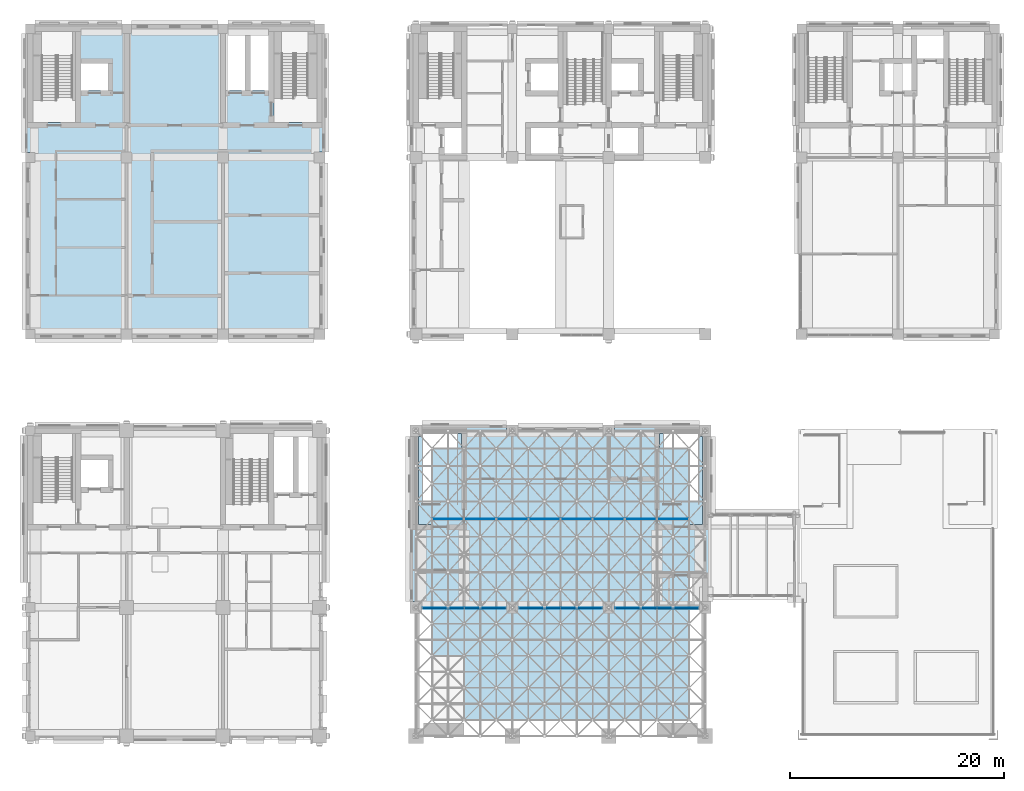
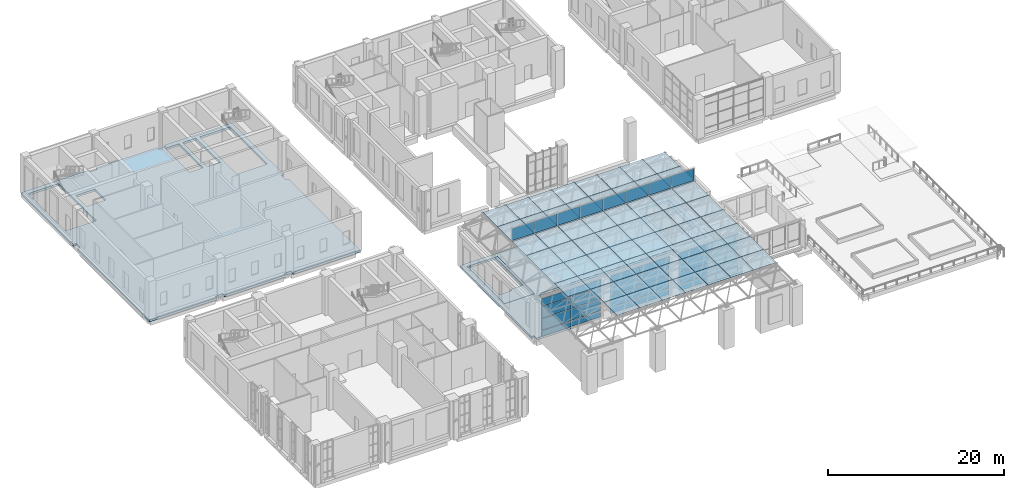
# One storey, part 21 of 53: 94 plates, 4 slabs, 4 elements without a shape of their own.
"""IFC4 building model written with IfcOpenShell, lengths in metres."""

from ifc_helpers import new_model, si_unit, direction, frame, origin, origin_2d, place, context, subcontext, project, spatial, polyline, rectangle, outline, extrude, material, layer, layer_set, type_object, element, aggregate, save


model = new_model("IFC4")

# Units and contexts
model_context = context("Model", 3, precision=1e-05, world=origin(), true_north=direction((0.0, 1.0)))
body_context = subcontext(model_context, "Body", "Model", "MODEL_VIEW")
ifc_project = project(units=[si_unit("LENGTHUNIT", "METRE"), si_unit("AREAUNIT", "SQUARE_METRE"), si_unit("VOLUMEUNIT", "CUBIC_METRE"), si_unit("PLANEANGLEUNIT", "RADIAN"), si_unit("MASSUNIT", "GRAM", prefix="KILO")], contexts=[model_context])

# Site, building, storey
site_placement = place(None, origin())
site = spatial("IfcSite", under=ifc_project, at=site_placement, CompositionType="ELEMENT")
building_placement = place(site_placement, origin())
building = spatial("IfcBuilding", under=site, at=building_placement, Name="Aurelan Courthouse", CompositionType="ELEMENT")
storey_placement = place(building_placement, frame((0.0, 0.0, 12.0)))
storey = spatial("IfcBuildingStorey", under=building, at=storey_placement, Name="L02", CompositionType="ELEMENT", Elevation=12.0)

# Curtain wall, plates
ifc_material_1 = material(Name="Bronze-finished aluminium and glass", Category="aluminium")
ifc_layer_1 = layer(ifc_material_1, 0.14990234375)
ifc_layer_set_1 = layer_set([ifc_layer_1], Name="Bronze-finished aluminium and glass")
curtain_wall_type_1 = type_object("IfcCurtainWallType", Name="Curtain wall 7900 x 5400", PredefinedType="NOTDEFINED", material=ifc_layer_set_1)
curtain_wall_1_placement = place(storey_placement, origin())
curtain_wall_1 = element("IfcCurtainWall", 1, at=curtain_wall_1_placement, inside=storey, type_object=curtain_wall_type_1, Name="Curtain wall CW-V1-L02-S01", PredefinedType="NOTDEFINED")
ifc_material_2 = material(Name="Limestone cladding", Category="masonry")
ifc_layer_2 = layer(ifc_material_2, 0.080078125, Name="Facing")
ifc_material_3 = material(Name="Bronze sheet cladding", Category="bronze")
ifc_layer_3 = layer(ifc_material_3, 0.02001953125, Name="Back sheet")
ifc_layer_set_2 = layer_set([ifc_layer_2, ifc_layer_3], Name="Limestone cladding")
plate_type_1 = type_object("IfcPlateType", Name="Limestone spandrel panel with bronze back sheet 100", PredefinedType="CURTAIN_PANEL", material=ifc_layer_set_2)
plate_1_placement = place(storey_placement, frame((38.544921875, 11.925048828125, 4.239990234375), z_axis=(0.0, 0.0, 1.0), x_axis=(1.0, 0.0, 0.0)))
plate_1 = element("IfcPlate", 2, at=plate_1_placement, type_object=plate_type_1, Name="CW-V1-L02-S01 spandrel panel 1.4", PredefinedType="CURTAIN_PANEL", context=body_context, shape_type="SweptSolid", body=[
    extrude(rectangle(XDim=3.830078125, YDim=0.10009765625, at=origin_2d()), origin(), (0.0, 0.0, 1.0), 1.080078125),
])
plate_2_placement = place(storey_placement, frame((42.455078125, 11.925048828125, 4.239990234375), z_axis=(0.0, 0.0, 1.0), x_axis=(1.0, 0.0, 0.0)))
plate_2 = element("IfcPlate", 3, at=plate_2_placement, type_object=plate_type_1, Name="CW-V1-L02-S01 spandrel panel 2.4", PredefinedType="CURTAIN_PANEL", context=body_context, shape_type="SweptSolid", body=[
    extrude(rectangle(XDim=3.830078125, YDim=0.10009765625, at=origin_2d()), origin(), (0.0, 0.0, 1.0), 1.080078125),
])

curtain_wall_2_placement = place(storey_placement, origin())
curtain_wall_2 = element("IfcCurtainWall", 4, at=curtain_wall_2_placement, inside=storey, type_object=curtain_wall_type_1, Name="Curtain wall CW-V1-L02-S02", PredefinedType="NOTDEFINED")
plate_3_placement = place(storey_placement, frame((47.544921875, 11.925048828125, 4.239990234375), z_axis=(0.0, 0.0, 1.0), x_axis=(1.0, 0.0, 0.0)))
plate_3 = element("IfcPlate", 5, at=plate_3_placement, type_object=plate_type_1, Name="CW-V1-L02-S02 spandrel panel 1.4", PredefinedType="CURTAIN_PANEL", context=body_context, shape_type="SweptSolid", body=[
    extrude(rectangle(XDim=3.830078125, YDim=0.10009765625, at=origin_2d()), origin(), (0.0, 0.0, 1.0), 1.080078125),
])
plate_4_placement = place(storey_placement, frame((51.455078125, 11.925048828125, 4.239990234375), z_axis=(0.0, 0.0, 1.0), x_axis=(1.0, 0.0, 0.0)))
plate_4 = element("IfcPlate", 6, at=plate_4_placement, type_object=plate_type_1, Name="CW-V1-L02-S02 spandrel panel 2.4", PredefinedType="CURTAIN_PANEL", context=body_context, shape_type="SweptSolid", body=[
    extrude(rectangle(XDim=3.830078125, YDim=0.10009765625, at=origin_2d()), origin(), (0.0, 0.0, 1.0), 1.080078125),
])

curtain_wall_3_placement = place(storey_placement, origin())
curtain_wall_3 = element("IfcCurtainWall", 7, at=curtain_wall_3_placement, inside=storey, type_object=curtain_wall_type_1, Name="Curtain wall CW-V1-L02-S03", PredefinedType="NOTDEFINED")
plate_5_placement = place(storey_placement, frame((56.544921875, 11.925048828125, 4.239990234375), z_axis=(0.0, 0.0, 1.0), x_axis=(1.0, 0.0, 0.0)))
plate_5 = element("IfcPlate", 8, at=plate_5_placement, type_object=plate_type_1, Name="CW-V1-L02-S03 spandrel panel 1.4", PredefinedType="CURTAIN_PANEL", context=body_context, shape_type="SweptSolid", body=[
    extrude(rectangle(XDim=3.830078125, YDim=0.10009765625, at=origin_2d()), origin(), (0.0, 0.0, 1.0), 1.080078125),
])
plate_6_placement = place(storey_placement, frame((60.455078125, 11.925048828125, 4.239990234375), z_axis=(0.0, 0.0, 1.0), x_axis=(1.0, 0.0, 0.0)))
plate_6 = element("IfcPlate", 9, at=plate_6_placement, type_object=plate_type_1, Name="CW-V1-L02-S03 spandrel panel 2.4", PredefinedType="CURTAIN_PANEL", context=body_context, shape_type="SweptSolid", body=[
    extrude(rectangle(XDim=3.830078125, YDim=0.10009765625, at=origin_2d()), origin(), (0.0, 0.0, 1.0), 1.080078125),
])

ifc_layer_4 = layer(ifc_material_1, 0.10009765625)
ifc_layer_set_3 = layer_set([ifc_layer_4], Name="Bronze-finished aluminium and glass")
curtain_wall_type_2 = type_object("IfcCurtainWallType", Name="North light 24000 x 1800", PredefinedType="NOTDEFINED", material=ifc_layer_set_3)
curtain_wall_4_placement = place(storey_placement, origin())
curtain_wall_4 = element("IfcCurtainWall", 10, at=curtain_wall_4_placement, inside=storey, type_object=curtain_wall_type_2, Name="Curtain wall CW-V1-L02-NL01", PredefinedType="NOTDEFINED")
ifc_material_4 = material(Name="Laminated low-emissivity glass", Category="glass")
ifc_layer_5 = layer(ifc_material_4, 0.028076171875)
ifc_layer_set_4 = layer_set([ifc_layer_5], Name="Laminated low-emissivity glass")
plate_type_2 = type_object("IfcPlateType", Name="North light glass panel 28", PredefinedType="CURTAIN_PANEL", material=ifc_layer_set_4)
plate_7_placement = place(storey_placement, frame((39.017578125, 20.25, 7.98974609375), z_axis=(0.0, 0.0, 1.0), x_axis=(1.0, 0.0, 0.0)))
plate_7 = element("IfcPlate", 11, at=plate_7_placement, type_object=plate_type_2, Name="CW-V1-L02-NL01 panel 1.1", PredefinedType="CURTAIN_PANEL", context=body_context, shape_type="SweptSolid", body=[
    extrude(rectangle(XDim=2.89501953125, YDim=0.028076171875, at=origin_2d()), origin(), (0.0, 0.0, 1.0), 1.659912109375),
])
plate_8_placement = place(storey_placement, frame((42.0, 20.25, 7.98974609375), z_axis=(0.0, 0.0, 1.0), x_axis=(1.0, 0.0, 0.0)))
plate_8 = element("IfcPlate", 12, at=plate_8_placement, type_object=plate_type_2, Name="CW-V1-L02-NL01 panel 2.1", PredefinedType="CURTAIN_PANEL", context=body_context, shape_type="SweptSolid", body=[
    extrude(rectangle(XDim=2.929931640625, YDim=0.028076171875, at=origin_2d()), origin(), (0.0, 0.0, 1.0), 1.659912109375),
])
plate_9_placement = place(storey_placement, frame((45.0, 20.25, 7.98974609375), z_axis=(0.0, 0.0, 1.0), x_axis=(1.0, 0.0, 0.0)))
plate_9 = element("IfcPlate", 13, at=plate_9_placement, type_object=plate_type_2, Name="CW-V1-L02-NL01 panel 3.1", PredefinedType="CURTAIN_PANEL", context=body_context, shape_type="SweptSolid", body=[
    extrude(rectangle(XDim=2.929931640625, YDim=0.028076171875, at=origin_2d()), origin(), (0.0, 0.0, 1.0), 1.659912109375),
])
plate_10_placement = place(storey_placement, frame((48.0, 20.25, 7.98974609375), z_axis=(0.0, 0.0, 1.0), x_axis=(1.0, 0.0, 0.0)))
plate_10 = element("IfcPlate", 14, at=plate_10_placement, type_object=plate_type_2, Name="CW-V1-L02-NL01 panel 4.1", PredefinedType="CURTAIN_PANEL", context=body_context, shape_type="SweptSolid", body=[
    extrude(rectangle(XDim=2.929931640625, YDim=0.028076171875, at=origin_2d()), origin(), (0.0, 0.0, 1.0), 1.659912109375),
])
plate_11_placement = place(storey_placement, frame((51.0, 20.25, 7.98974609375), z_axis=(0.0, 0.0, 1.0), x_axis=(1.0, 0.0, 0.0)))
plate_11 = element("IfcPlate", 15, at=plate_11_placement, type_object=plate_type_2, Name="CW-V1-L02-NL01 panel 5.1", PredefinedType="CURTAIN_PANEL", context=body_context, shape_type="SweptSolid", body=[
    extrude(rectangle(XDim=2.929931640625, YDim=0.028076171875, at=origin_2d()), origin(), (0.0, 0.0, 1.0), 1.659912109375),
])
plate_12_placement = place(storey_placement, frame((54.0, 20.25, 7.98974609375), z_axis=(0.0, 0.0, 1.0), x_axis=(1.0, 0.0, 0.0)))
plate_12 = element("IfcPlate", 16, at=plate_12_placement, type_object=plate_type_2, Name="CW-V1-L02-NL01 panel 6.1", PredefinedType="CURTAIN_PANEL", context=body_context, shape_type="SweptSolid", body=[
    extrude(rectangle(XDim=2.929931640625, YDim=0.028076171875, at=origin_2d()), origin(), (0.0, 0.0, 1.0), 1.659912109375),
])
plate_13_placement = place(storey_placement, frame((57.0, 20.25, 7.98974609375), z_axis=(0.0, 0.0, 1.0), x_axis=(1.0, 0.0, 0.0)))
plate_13 = element("IfcPlate", 17, at=plate_13_placement, type_object=plate_type_2, Name="CW-V1-L02-NL01 panel 7.1", PredefinedType="CURTAIN_PANEL", context=body_context, shape_type="SweptSolid", body=[
    extrude(rectangle(XDim=2.929931640625, YDim=0.028076171875, at=origin_2d()), origin(), (0.0, 0.0, 1.0), 1.659912109375),
])
plate_14_placement = place(storey_placement, frame((59.982421875, 20.25, 7.98974609375), z_axis=(0.0, 0.0, 1.0), x_axis=(1.0, 0.0, 0.0)))
plate_14 = element("IfcPlate", 18, at=plate_14_placement, type_object=plate_type_2, Name="CW-V1-L02-NL01 panel 8.1", PredefinedType="CURTAIN_PANEL", context=body_context, shape_type="SweptSolid", body=[
    extrude(rectangle(XDim=2.89501953125, YDim=0.028076171875, at=origin_2d()), origin(), (0.0, 0.0, 1.0), 1.659912109375),
])
aggregate(curtain_wall_4, [plate_7, plate_8, plate_9, plate_10, plate_11, plate_12, plate_13, plate_14])

# Slabs
ifc_material_5 = material(Name="Concrete C40", Category="concrete")
ifc_layer_6 = layer(ifc_material_5, 0.300048828125)
ifc_layer_set_5 = layer_set([ifc_layer_6], Name="Concrete C40")
slab_type_1 = type_object("IfcSlabType", Name="PT floor slab 300", PredefinedType="FLOOR", material=ifc_layer_set_5)
slab_1_placement = place(storey_placement, frame((0.0, 0.0, -0.300048828125)))
element("IfcSlab", 19, at=slab_1_placement, inside=storey, type_object=slab_type_1, Name="Floor slab SL-L02-01", PredefinedType="FLOOR", context=body_context, shape_type="SweptSolid", body=[
    extrude(outline(polyline([(58.5, 19.25), (58.5, 15.25), (58.25, 15.25), (58.25, 12.0), (58.25, 11.75), (63.0, 11.75), (63.0, 12.550048828125), (63.35009765625, 12.550048828125), (63.35009765625, 27.949951171875), (63.35009765625, 28.85009765625), (62.449951171875, 28.85009765625), (54.550048828125, 28.85009765625), (54.550048828125, 28.5), (53.449951171875, 28.5), (53.449951171875, 28.85009765625), (45.550048828125, 28.85009765625), (45.550048828125, 28.5), (44.449951171875, 28.5), (44.449951171875, 28.85009765625), (36.550048828125, 28.85009765625), (35.64990234375, 28.85009765625), (35.64990234375, 27.949951171875), (35.64990234375, 12.550048828125), (36.0, 12.550048828125), (36.0, 12.0), (40.5, 12.0), (40.5, 19.25), (40.75, 19.25), (40.75, 19.5), (58.25, 19.5), (58.25, 19.25), (58.5, 19.25)]), holes=[polyline([(58.75, 19.75), (58.75, 28.25), (62.75, 28.25), (62.75, 19.75), (58.75, 19.75)]), polyline([(62.75, 14.75), (62.75, 12.25), (58.75, 12.25), (58.75, 14.75), (62.75, 14.75)]), polyline([(36.25, 28.25), (40.25, 28.25), (40.25, 19.75), (36.25, 19.75), (36.25, 28.25)])]), origin(), (0.0, 0.0, 1.0), 0.300048828125),
])
slab_2_placement = place(storey_placement, frame((0.0, 0.0, -0.300048828125)))
element("IfcSlab", 20, at=slab_2_placement, inside=storey, type_object=slab_type_1, Name="Floor slab SL-L02-05", PredefinedType="FLOOR", context=body_context, shape_type="SweptSolid", body=[
    extrude(outline(polyline([(0.0, 54.449951171875), (0.0, 53.550048828125), (-0.35009765625, 53.550048828125), (-0.35009765625, 37.949951171875), (-0.35009765625, 37.14990234375), (0.449951171875, 37.14990234375), (8.5, 37.14990234375), (8.5, 37.5), (9.5, 37.5), (9.5, 37.14990234375), (17.5, 37.14990234375), (17.5, 37.5), (18.5, 37.5), (18.5, 37.14990234375), (26.5, 37.14990234375), (27.35009765625, 37.14990234375), (27.35009765625, 38.0), (27.35009765625, 53.5), (27.0, 53.5), (27.0, 54.5), (27.35009765625, 54.5), (27.35009765625, 65.550048828125), (27.35009765625, 66.35009765625), (26.550048828125, 66.35009765625), (18.449951171875, 66.35009765625), (18.449951171875, 66.0), (17.550048828125, 66.0), (17.550048828125, 66.35009765625), (9.449951171875, 66.35009765625), (9.449951171875, 66.0), (8.550048828125, 66.0), (8.550048828125, 66.35009765625), (0.449951171875, 66.35009765625), (-0.35009765625, 66.35009765625), (-0.35009765625, 65.550048828125), (-0.35009765625, 54.449951171875), (0.0, 54.449951171875)]), holes=[polyline([(26.75, 65.75), (26.75, 57.25), (22.75, 57.25), (22.75, 65.75), (26.75, 65.75)]), polyline([(20.550048828125, 65.75), (22.25, 65.75), (22.25, 60.25), (20.550048828125, 60.25), (20.550048828125, 65.75)]), polyline([(18.25, 60.25), (18.25, 65.75), (20.050048828125, 65.75), (20.050048828125, 60.25), (18.25, 60.25)]), polyline([(7.25, 62.75), (7.25, 60.25), (4.75, 60.25), (4.75, 62.75), (7.25, 62.75)]), polyline([(4.25, 57.25), (0.25, 57.25), (0.25, 65.75), (4.25, 65.75), (4.25, 57.25)])]), origin(), (0.0, 0.0, 1.0), 0.300048828125),
])

# Plate
ifc_material_6 = material(Name="Bronze-finished aluminium", Category="aluminium")
ifc_layer_7 = layer(ifc_material_6, 0.050048828125)
ifc_layer_set_6 = layer_set([ifc_layer_7], Name="Bronze-finished aluminium")
plate_type_3 = type_object("IfcPlateType", Name="Sill panel 50", PredefinedType="CURTAIN_PANEL", material=ifc_layer_set_6)
plate_15_placement = place(storey_placement, frame((38.544921875, 11.925048828125, 0.080078125), z_axis=(0.0, 0.0, 1.0), x_axis=(1.0, 0.0, 0.0)))
plate_15 = element("IfcPlate", 21, at=plate_15_placement, type_object=plate_type_3, Name="CW-V1-L02-S01 sill panel 1.1", PredefinedType="CURTAIN_PANEL", context=body_context, shape_type="SweptSolid", body=[
    extrude(rectangle(XDim=3.830078125, YDim=0.050048828125, at=origin_2d()), origin(), (0.0, 0.0, 1.0), 0.780029296875),
])

plate_16_placement = place(storey_placement, frame((42.455078125, 11.925048828125, 0.080078125), z_axis=(0.0, 0.0, 1.0), x_axis=(1.0, 0.0, 0.0)))
plate_16 = element("IfcPlate", 22, at=plate_16_placement, type_object=plate_type_3, Name="CW-V1-L02-S01 sill panel 2.1", PredefinedType="CURTAIN_PANEL", context=body_context, shape_type="SweptSolid", body=[
    extrude(rectangle(XDim=3.830078125, YDim=0.050048828125, at=origin_2d()), origin(), (0.0, 0.0, 1.0), 0.780029296875),
])

plate_17_placement = place(storey_placement, frame((47.544921875, 11.925048828125, 0.080078125), z_axis=(0.0, 0.0, 1.0), x_axis=(1.0, 0.0, 0.0)))
plate_17 = element("IfcPlate", 23, at=plate_17_placement, type_object=plate_type_3, Name="CW-V1-L02-S02 sill panel 1.1", PredefinedType="CURTAIN_PANEL", context=body_context, shape_type="SweptSolid", body=[
    extrude(rectangle(XDim=3.830078125, YDim=0.050048828125, at=origin_2d()), origin(), (0.0, 0.0, 1.0), 0.780029296875),
])

plate_18_placement = place(storey_placement, frame((51.455078125, 11.925048828125, 0.080078125), z_axis=(0.0, 0.0, 1.0), x_axis=(1.0, 0.0, 0.0)))
plate_18 = element("IfcPlate", 24, at=plate_18_placement, type_object=plate_type_3, Name="CW-V1-L02-S02 sill panel 2.1", PredefinedType="CURTAIN_PANEL", context=body_context, shape_type="SweptSolid", body=[
    extrude(rectangle(XDim=3.830078125, YDim=0.050048828125, at=origin_2d()), origin(), (0.0, 0.0, 1.0), 0.780029296875),
])

plate_19_placement = place(storey_placement, frame((56.544921875, 11.925048828125, 0.080078125), z_axis=(0.0, 0.0, 1.0), x_axis=(1.0, 0.0, 0.0)))
plate_19 = element("IfcPlate", 25, at=plate_19_placement, type_object=plate_type_3, Name="CW-V1-L02-S03 sill panel 1.1", PredefinedType="CURTAIN_PANEL", context=body_context, shape_type="SweptSolid", body=[
    extrude(rectangle(XDim=3.830078125, YDim=0.050048828125, at=origin_2d()), origin(), (0.0, 0.0, 1.0), 0.780029296875),
])

plate_20_placement = place(storey_placement, frame((60.455078125, 11.925048828125, 0.080078125), z_axis=(0.0, 0.0, 1.0), x_axis=(1.0, 0.0, 0.0)))
plate_20 = element("IfcPlate", 26, at=plate_20_placement, type_object=plate_type_3, Name="CW-V1-L02-S03 sill panel 2.1", PredefinedType="CURTAIN_PANEL", context=body_context, shape_type="SweptSolid", body=[
    extrude(rectangle(XDim=3.830078125, YDim=0.050048828125, at=origin_2d()), origin(), (0.0, 0.0, 1.0), 0.780029296875),
])

# Plates
ifc_layer_8 = layer(ifc_material_4, 0.031982421875)
ifc_layer_set_7 = layer_set([ifc_layer_8], Name="Laminated low-emissivity glass")
plate_type_4 = type_object("IfcPlateType", Name="Space frame glazing 2980 x 2980", PredefinedType="SHEET", material=ifc_layer_set_7)
for number, where, z_axis, x_axis, name in (
    (27, (42.0, 6.0, 7.919921875), (0.0, 0.0, 1.0), (1.0, 0.0, 0.0), "Roof panel SFG-1"),
    (28, (48.0, 6.0, 7.919921875), (0.0, 0.0, 1.0), (1.0, 0.0, 0.0), "Roof panel SFG-2"),
    (29, (51.0, 6.0, 7.919921875), (0.0, 0.0, 1.0), (1.0, 0.0, 0.0), "Roof panel SFG-3"),
    (30, (57.0, 6.0, 7.919921875), (0.0, 0.0, 1.0), (1.0, 0.0, 0.0), "Roof panel SFG-4"),
    (31, (45.0, 9.0, 7.919921875), (0.0, 0.0, 1.0), (1.0, 0.0, 0.0), "Roof panel SFG-5"),
    (32, (48.0, 9.0, 7.919921875), (0.0, 0.0, 1.0), (1.0, 0.0, 0.0), "Roof panel SFG-6"),
    (33, (54.0, 9.0, 7.919921875), (0.0, 0.0, 1.0), (1.0, 0.0, 0.0), "Roof panel SFG-7"),
    (34, (57.0, 9.0, 7.919921875), (0.0, 0.0, 1.0), (1.0, 0.0, 0.0), "Roof panel SFG-8"),
):
    element("IfcPlate", number, at=place(storey_placement, frame(where, z_axis=z_axis, x_axis=x_axis)), inside=storey, type_object=plate_type_4, Name=name, PredefinedType="SHEET", context=body_context, shape_type="SweptSolid", body=[
        extrude(rectangle(XDim=2.97998046875, YDim=2.97998046875, at=origin_2d()), origin(), (0.0, 0.0, 1.0), 0.031982421875),
    ])
for number, where, z_axis, x_axis, name in (
    (35, (42.0, 12.074951171875, 7.919921875), (0.0, 0.0, 1.0), (1.0, 0.0, 0.0), "Roof panel SFG-9"),
    (36, (45.0, 12.074951171875, 7.919921875), (0.0, 0.0, 1.0), (1.0, 0.0, 0.0), "Roof panel SFG-10"),
    (37, (51.0, 12.074951171875, 7.919921875), (0.0, 0.0, 1.0), (1.0, 0.0, 0.0), "Roof panel SFG-11"),
    (38, (54.0, 12.074951171875, 7.919921875), (0.0, 0.0, 1.0), (1.0, 0.0, 0.0), "Roof panel SFG-12"),
):
    element("IfcPlate", number, at=place(storey_placement, frame(where, z_axis=z_axis, x_axis=x_axis)), inside=storey, type_object=plate_type_4, Name=name, PredefinedType="SHEET", context=body_context, shape_type="SweptSolid", body=[
        extrude(rectangle(XDim=2.97998046875, YDim=3.1298828125, at=origin_2d()), origin(), (0.0, 0.0, 1.0), 0.031982421875),
    ])
for number, where, z_axis, x_axis, name in (
    (39, (42.0, 15.300048828125, 7.919921875), (0.0, 0.0, 1.0), (1.0, 0.0, 0.0), "Roof panel SFG-13"),
    (40, (48.0, 15.300048828125, 7.919921875), (0.0, 0.0, 1.0), (1.0, 0.0, 0.0), "Roof panel SFG-14"),
    (41, (51.0, 15.300048828125, 7.919921875), (0.0, 0.0, 1.0), (1.0, 0.0, 0.0), "Roof panel SFG-15"),
    (42, (57.0, 15.300048828125, 7.919921875), (0.0, 0.0, 1.0), (1.0, 0.0, 0.0), "Roof panel SFG-16"),
):
    element("IfcPlate", number, at=place(storey_placement, frame(where, z_axis=z_axis, x_axis=x_axis)), inside=storey, type_object=plate_type_4, Name=name, PredefinedType="SHEET", context=body_context, shape_type="SweptSolid", body=[
        extrude(rectangle(XDim=2.97998046875, YDim=3.280029296875, at=origin_2d()), origin(), (0.0, 0.0, 1.0), 0.031982421875),
    ])
for number, where, z_axis, x_axis, name in (
    (43, (45.0, 18.5625, 7.919921875), (0.0, 0.0, 1.0), (1.0, 0.0, 0.0), "Roof panel SFG-17"),
    (44, (48.0, 18.5625, 7.919921875), (0.0, 0.0, 1.0), (1.0, 0.0, 0.0), "Roof panel SFG-18"),
    (45, (54.0, 18.5625, 7.919921875), (0.0, 0.0, 1.0), (1.0, 0.0, 0.0), "Roof panel SFG-19"),
    (46, (57.0, 18.5625, 7.919921875), (0.0, 0.0, 1.0), (1.0, 0.0, 0.0), "Roof panel SFG-20"),
    (47, (42.0, 21.9375, 7.919921875), (0.0, 0.0, 1.0), (1.0, 0.0, 0.0), "Roof panel SFG-21"),
    (48, (45.0, 21.9375, 7.919921875), (0.0, 0.0, 1.0), (1.0, 0.0, 0.0), "Roof panel SFG-22"),
    (49, (51.0, 21.9375, 7.919921875), (0.0, 0.0, 1.0), (1.0, 0.0, 0.0), "Roof panel SFG-23"),
    (50, (54.0, 21.9375, 7.919921875), (0.0, 0.0, 1.0), (1.0, 0.0, 0.0), "Roof panel SFG-24"),
):
    element("IfcPlate", number, at=place(storey_placement, frame(where, z_axis=z_axis, x_axis=x_axis)), inside=storey, type_object=plate_type_4, Name=name, PredefinedType="SHEET", context=body_context, shape_type="SweptSolid", body=[
        extrude(rectangle(XDim=2.97998046875, YDim=3.205078125, at=origin_2d()), origin(), (0.0, 0.0, 1.0), 0.031982421875),
    ])
ifc_material_7 = material(Name="Zinc standing-seam cladding")
ifc_layer_9 = layer(ifc_material_7, 0.031982421875)
ifc_layer_set_8 = layer_set([ifc_layer_9], Name="Zinc standing-seam cladding")
plate_type_5 = type_object("IfcPlateType", Name="Space frame metal panel 2980 x 2980", PredefinedType="SHEET", material=ifc_layer_set_8)
for number, where, z_axis, x_axis, name in (
    (51, (42.0, 3.0, 7.919921875), (0.0, 0.0, 1.0), (1.0, 0.0, 0.0), "Roof panel SFM-2"),
    (52, (45.0, 3.0, 7.919921875), (0.0, 0.0, 1.0), (1.0, 0.0, 0.0), "Roof panel SFM-3"),
    (53, (48.0, 3.0, 7.919921875), (0.0, 0.0, 1.0), (1.0, 0.0, 0.0), "Roof panel SFM-4"),
    (54, (51.0, 3.0, 7.919921875), (0.0, 0.0, 1.0), (1.0, 0.0, 0.0), "Roof panel SFM-5"),
    (55, (54.0, 3.0, 7.919921875), (0.0, 0.0, 1.0), (1.0, 0.0, 0.0), "Roof panel SFM-6"),
    (56, (57.0, 3.0, 7.919921875), (0.0, 0.0, 1.0), (1.0, 0.0, 0.0), "Roof panel SFM-7"),
    (57, (60.0, 3.0, 7.919921875), (0.0, 0.0, 1.0), (1.0, 0.0, 0.0), "Roof panel SFM-8"),
    (58, (45.0, 6.0, 7.919921875), (0.0, 0.0, 1.0), (1.0, 0.0, 0.0), "Roof panel SFM-10"),
    (59, (54.0, 6.0, 7.919921875), (0.0, 0.0, 1.0), (1.0, 0.0, 0.0), "Roof panel SFM-11"),
    (60, (60.0, 6.0, 7.919921875), (0.0, 0.0, 1.0), (1.0, 0.0, 0.0), "Roof panel SFM-12"),
    (61, (39.0, 9.0, 7.919921875), (0.0, 0.0, 1.0), (1.0, 0.0, 0.0), "Roof panel SFM-13"),
    (62, (42.0, 9.0, 7.919921875), (0.0, 0.0, 1.0), (1.0, 0.0, 0.0), "Roof panel SFM-14"),
    (63, (51.0, 9.0, 7.919921875), (0.0, 0.0, 1.0), (1.0, 0.0, 0.0), "Roof panel SFM-15"),
    (64, (60.0, 9.0, 7.919921875), (0.0, 0.0, 1.0), (1.0, 0.0, 0.0), "Roof panel SFM-16"),
):
    element("IfcPlate", number, at=place(storey_placement, frame(where, z_axis=z_axis, x_axis=x_axis)), inside=storey, type_object=plate_type_5, Name=name, PredefinedType="SHEET", context=body_context, shape_type="SweptSolid", body=[
        extrude(rectangle(XDim=2.97998046875, YDim=2.97998046875, at=origin_2d()), origin(), (0.0, 0.0, 1.0), 0.031982421875),
    ])
for number, where, z_axis, x_axis, name in (
    (65, (39.0, 12.074951171875, 7.919921875), (0.0, 0.0, 1.0), (1.0, 0.0, 0.0), "Roof panel SFM-17"),
    (66, (48.0, 12.074951171875, 7.919921875), (0.0, 0.0, 1.0), (1.0, 0.0, 0.0), "Roof panel SFM-18"),
    (67, (57.0, 12.074951171875, 7.919921875), (0.0, 0.0, 1.0), (1.0, 0.0, 0.0), "Roof panel SFM-19"),
    (68, (60.0, 12.074951171875, 7.919921875), (0.0, 0.0, 1.0), (1.0, 0.0, 0.0), "Roof panel SFM-20"),
):
    element("IfcPlate", number, at=place(storey_placement, frame(where, z_axis=z_axis, x_axis=x_axis)), inside=storey, type_object=plate_type_5, Name=name, PredefinedType="SHEET", context=body_context, shape_type="SweptSolid", body=[
        extrude(rectangle(XDim=2.97998046875, YDim=3.1298828125, at=origin_2d()), origin(), (0.0, 0.0, 1.0), 0.031982421875),
    ])
for number, where, z_axis, x_axis, name in (
    (69, (39.0, 15.300048828125, 7.919921875), (0.0, 0.0, 1.0), (1.0, 0.0, 0.0), "Roof panel SFM-21"),
    (70, (45.0, 15.300048828125, 7.919921875), (0.0, 0.0, 1.0), (1.0, 0.0, 0.0), "Roof panel SFM-22"),
    (71, (54.0, 15.300048828125, 7.919921875), (0.0, 0.0, 1.0), (1.0, 0.0, 0.0), "Roof panel SFM-23"),
    (72, (60.0, 15.300048828125, 7.919921875), (0.0, 0.0, 1.0), (1.0, 0.0, 0.0), "Roof panel SFM-24"),
):
    element("IfcPlate", number, at=place(storey_placement, frame(where, z_axis=z_axis, x_axis=x_axis)), inside=storey, type_object=plate_type_5, Name=name, PredefinedType="SHEET", context=body_context, shape_type="SweptSolid", body=[
        extrude(rectangle(XDim=2.97998046875, YDim=3.280029296875, at=origin_2d()), origin(), (0.0, 0.0, 1.0), 0.031982421875),
    ])
for number, where, z_axis, x_axis, name in (
    (73, (39.0, 18.5625, 7.919921875), (0.0, 0.0, 1.0), (1.0, 0.0, 0.0), "Roof panel SFM-25"),
    (74, (42.0, 18.5625, 7.919921875), (0.0, 0.0, 1.0), (1.0, 0.0, 0.0), "Roof panel SFM-26"),
    (75, (51.0, 18.5625, 7.919921875), (0.0, 0.0, 1.0), (1.0, 0.0, 0.0), "Roof panel SFM-27"),
    (76, (60.0, 18.5625, 7.919921875), (0.0, 0.0, 1.0), (1.0, 0.0, 0.0), "Roof panel SFM-28"),
    (77, (39.0, 21.9375, 7.919921875), (0.0, 0.0, 1.0), (1.0, 0.0, 0.0), "Roof panel SFM-29"),
    (78, (48.0, 21.9375, 7.919921875), (0.0, 0.0, 1.0), (1.0, 0.0, 0.0), "Roof panel SFM-30"),
    (79, (57.0, 21.9375, 7.919921875), (0.0, 0.0, 1.0), (1.0, 0.0, 0.0), "Roof panel SFM-31"),
    (80, (60.0, 21.9375, 7.919921875), (0.0, 0.0, 1.0), (1.0, 0.0, 0.0), "Roof panel SFM-32"),
):
    element("IfcPlate", number, at=place(storey_placement, frame(where, z_axis=z_axis, x_axis=x_axis)), inside=storey, type_object=plate_type_5, Name=name, PredefinedType="SHEET", context=body_context, shape_type="SweptSolid", body=[
        extrude(rectangle(XDim=2.97998046875, YDim=3.205078125, at=origin_2d()), origin(), (0.0, 0.0, 1.0), 0.031982421875),
    ])
for number, where, z_axis, x_axis, name in (
    (81, (39.0, 25.199951171875, 7.919921875), (0.0, 0.0, 1.0), (1.0, 0.0, 0.0), "Roof panel SFM-33"),
    (82, (42.0, 25.199951171875, 7.919921875), (0.0, 0.0, 1.0), (1.0, 0.0, 0.0), "Roof panel SFM-34"),
    (83, (45.0, 25.199951171875, 7.919921875), (0.0, 0.0, 1.0), (1.0, 0.0, 0.0), "Roof panel SFM-35"),
    (84, (48.0, 25.199951171875, 7.919921875), (0.0, 0.0, 1.0), (1.0, 0.0, 0.0), "Roof panel SFM-36"),
    (85, (51.0, 25.199951171875, 7.919921875), (0.0, 0.0, 1.0), (1.0, 0.0, 0.0), "Roof panel SFM-37"),
    (86, (54.0, 25.199951171875, 7.919921875), (0.0, 0.0, 1.0), (1.0, 0.0, 0.0), "Roof panel SFM-38"),
    (87, (57.0, 25.199951171875, 7.919921875), (0.0, 0.0, 1.0), (1.0, 0.0, 0.0), "Roof panel SFM-39"),
    (88, (60.0, 25.199951171875, 7.919921875), (0.0, 0.0, 1.0), (1.0, 0.0, 0.0), "Roof panel SFM-40"),
):
    element("IfcPlate", number, at=place(storey_placement, frame(where, z_axis=z_axis, x_axis=x_axis)), inside=storey, type_object=plate_type_5, Name=name, PredefinedType="SHEET", context=body_context, shape_type="SweptSolid", body=[
        extrude(rectangle(XDim=2.97998046875, YDim=3.280029296875, at=origin_2d()), origin(), (0.0, 0.0, 1.0), 0.031982421875),
    ])

# Slabs
ifc_material_8 = material(Name="Concrete C30", Category="concrete")
ifc_layer_10 = layer(ifc_material_8, 0.300048828125)
ifc_layer_set_9 = layer_set([ifc_layer_10], Name="Concrete C30")
slab_type_2 = type_object("IfcSlabType", Name="Stair floor landing 300 thick", PredefinedType="LANDING", material=ifc_layer_set_9)
slab_3_placement = place(storey_placement, frame((0.0, 0.0, -0.300048828125)))
element("IfcSlab", 89, at=slab_3_placement, inside=storey, type_object=slab_type_2, Name="Stair ST-1E landing L02", PredefinedType="LANDING", context=body_context, shape_type="SweptSolid", body=[
    extrude(outline(polyline([(59.10009765625, 21.611083984375), (60.800048828125, 21.611083984375), (60.800048828125, 21.89111328125), (62.39990234375, 21.89111328125), (62.39990234375, 28.25), (62.449951171875, 28.25), (62.449951171875, 27.949951171875), (62.75, 27.949951171875), (62.75, 19.75), (58.75, 19.75), (58.75, 28.25), (59.10009765625, 28.25), (59.10009765625, 21.611083984375)])), origin(), (0.0, 0.0, 1.0), 0.300048828125),
])
slab_4_placement = place(storey_placement, frame((0.0, 0.0, -0.300048828125)))
element("IfcSlab", 90, at=slab_4_placement, inside=storey, type_object=slab_type_2, Name="Stair ST-1W landing L02", PredefinedType="LANDING", context=body_context, shape_type="SweptSolid", body=[
    extrude(outline(polyline([(36.60009765625, 21.611083984375), (38.300048828125, 21.611083984375), (38.300048828125, 21.89111328125), (39.89990234375, 21.89111328125), (39.89990234375, 28.25), (40.25, 28.25), (40.25, 19.75), (36.25, 19.75), (36.25, 27.949951171875), (36.550048828125, 27.949951171875), (36.550048828125, 28.25), (36.60009765625, 28.25), (36.60009765625, 21.611083984375)])), origin(), (0.0, 0.0, 1.0), 0.300048828125),
])

# Plate
ifc_layer_11 = layer(ifc_material_4, 0.0439453125)
ifc_layer_set_10 = layer_set([ifc_layer_11], Name="Laminated low-emissivity glass")
plate_type_6 = type_object("IfcPlateType", Name="Vision glass panel 44", PredefinedType="CURTAIN_PANEL", material=ifc_layer_set_10)
plate_21_placement = place(storey_placement, frame((38.544921875, 11.925048828125, 0.93994140625), z_axis=(0.0, 0.0, 1.0), x_axis=(1.0, 0.0, 0.0)))
plate_21 = element("IfcPlate", 91, at=plate_21_placement, type_object=plate_type_6, Name="CW-V1-L02-S01 vision panel 1.2", PredefinedType="CURTAIN_PANEL", context=body_context, shape_type="SweptSolid", body=[
    extrude(rectangle(XDim=3.830078125, YDim=0.0439453125, at=origin_2d()), origin(), (0.0, 0.0, 1.0), 1.570068359375),
])

plate_22_placement = place(storey_placement, frame((38.544921875, 11.925048828125, 2.58984375), z_axis=(0.0, 0.0, 1.0), x_axis=(1.0, 0.0, 0.0)))
plate_22 = element("IfcPlate", 92, at=plate_22_placement, type_object=plate_type_6, Name="CW-V1-L02-S01 vision panel 1.3", PredefinedType="CURTAIN_PANEL", context=body_context, shape_type="SweptSolid", body=[
    extrude(rectangle(XDim=3.830078125, YDim=0.0439453125, at=origin_2d()), origin(), (0.0, 0.0, 1.0), 1.570068359375),
])

plate_23_placement = place(storey_placement, frame((42.455078125, 11.925048828125, 0.93994140625), z_axis=(0.0, 0.0, 1.0), x_axis=(1.0, 0.0, 0.0)))
plate_23 = element("IfcPlate", 93, at=plate_23_placement, type_object=plate_type_6, Name="CW-V1-L02-S01 vision panel 2.2", PredefinedType="CURTAIN_PANEL", context=body_context, shape_type="SweptSolid", body=[
    extrude(rectangle(XDim=3.830078125, YDim=0.0439453125, at=origin_2d()), origin(), (0.0, 0.0, 1.0), 1.570068359375),
])

plate_24_placement = place(storey_placement, frame((42.455078125, 11.925048828125, 2.58984375), z_axis=(0.0, 0.0, 1.0), x_axis=(1.0, 0.0, 0.0)))
plate_24 = element("IfcPlate", 94, at=plate_24_placement, type_object=plate_type_6, Name="CW-V1-L02-S01 vision panel 2.3", PredefinedType="CURTAIN_PANEL", context=body_context, shape_type="SweptSolid", body=[
    extrude(rectangle(XDim=3.830078125, YDim=0.0439453125, at=origin_2d()), origin(), (0.0, 0.0, 1.0), 1.570068359375),
])

aggregate(curtain_wall_1, [plate_15, plate_21, plate_22, plate_1, plate_16, plate_23, plate_24, plate_2])

plate_25_placement = place(storey_placement, frame((47.544921875, 11.925048828125, 0.93994140625), z_axis=(0.0, 0.0, 1.0), x_axis=(1.0, 0.0, 0.0)))
plate_25 = element("IfcPlate", 95, at=plate_25_placement, type_object=plate_type_6, Name="CW-V1-L02-S02 vision panel 1.2", PredefinedType="CURTAIN_PANEL", context=body_context, shape_type="SweptSolid", body=[
    extrude(rectangle(XDim=3.830078125, YDim=0.0439453125, at=origin_2d()), origin(), (0.0, 0.0, 1.0), 1.570068359375),
])

plate_26_placement = place(storey_placement, frame((47.544921875, 11.925048828125, 2.58984375), z_axis=(0.0, 0.0, 1.0), x_axis=(1.0, 0.0, 0.0)))
plate_26 = element("IfcPlate", 96, at=plate_26_placement, type_object=plate_type_6, Name="CW-V1-L02-S02 vision panel 1.3", PredefinedType="CURTAIN_PANEL", context=body_context, shape_type="SweptSolid", body=[
    extrude(rectangle(XDim=3.830078125, YDim=0.0439453125, at=origin_2d()), origin(), (0.0, 0.0, 1.0), 1.570068359375),
])

plate_27_placement = place(storey_placement, frame((51.455078125, 11.925048828125, 0.93994140625), z_axis=(0.0, 0.0, 1.0), x_axis=(1.0, 0.0, 0.0)))
plate_27 = element("IfcPlate", 97, at=plate_27_placement, type_object=plate_type_6, Name="CW-V1-L02-S02 vision panel 2.2", PredefinedType="CURTAIN_PANEL", context=body_context, shape_type="SweptSolid", body=[
    extrude(rectangle(XDim=3.830078125, YDim=0.0439453125, at=origin_2d()), origin(), (0.0, 0.0, 1.0), 1.570068359375),
])

plate_28_placement = place(storey_placement, frame((51.455078125, 11.925048828125, 2.58984375), z_axis=(0.0, 0.0, 1.0), x_axis=(1.0, 0.0, 0.0)))
plate_28 = element("IfcPlate", 98, at=plate_28_placement, type_object=plate_type_6, Name="CW-V1-L02-S02 vision panel 2.3", PredefinedType="CURTAIN_PANEL", context=body_context, shape_type="SweptSolid", body=[
    extrude(rectangle(XDim=3.830078125, YDim=0.0439453125, at=origin_2d()), origin(), (0.0, 0.0, 1.0), 1.570068359375),
])

aggregate(curtain_wall_2, [plate_17, plate_25, plate_26, plate_3, plate_18, plate_27, plate_28, plate_4])

plate_29_placement = place(storey_placement, frame((56.544921875, 11.925048828125, 0.93994140625), z_axis=(0.0, 0.0, 1.0), x_axis=(1.0, 0.0, 0.0)))
plate_29 = element("IfcPlate", 99, at=plate_29_placement, type_object=plate_type_6, Name="CW-V1-L02-S03 vision panel 1.2", PredefinedType="CURTAIN_PANEL", context=body_context, shape_type="SweptSolid", body=[
    extrude(rectangle(XDim=3.830078125, YDim=0.0439453125, at=origin_2d()), origin(), (0.0, 0.0, 1.0), 1.570068359375),
])

plate_30_placement = place(storey_placement, frame((56.544921875, 11.925048828125, 2.58984375), z_axis=(0.0, 0.0, 1.0), x_axis=(1.0, 0.0, 0.0)))
plate_30 = element("IfcPlate", 100, at=plate_30_placement, type_object=plate_type_6, Name="CW-V1-L02-S03 vision panel 1.3", PredefinedType="CURTAIN_PANEL", context=body_context, shape_type="SweptSolid", body=[
    extrude(rectangle(XDim=3.830078125, YDim=0.0439453125, at=origin_2d()), origin(), (0.0, 0.0, 1.0), 1.570068359375),
])

plate_31_placement = place(storey_placement, frame((60.455078125, 11.925048828125, 0.93994140625), z_axis=(0.0, 0.0, 1.0), x_axis=(1.0, 0.0, 0.0)))
plate_31 = element("IfcPlate", 101, at=plate_31_placement, type_object=plate_type_6, Name="CW-V1-L02-S03 vision panel 2.2", PredefinedType="CURTAIN_PANEL", context=body_context, shape_type="SweptSolid", body=[
    extrude(rectangle(XDim=3.830078125, YDim=0.0439453125, at=origin_2d()), origin(), (0.0, 0.0, 1.0), 1.570068359375),
])

plate_32_placement = place(storey_placement, frame((60.455078125, 11.925048828125, 2.58984375), z_axis=(0.0, 0.0, 1.0), x_axis=(1.0, 0.0, 0.0)))
plate_32 = element("IfcPlate", 102, at=plate_32_placement, type_object=plate_type_6, Name="CW-V1-L02-S03 vision panel 2.3", PredefinedType="CURTAIN_PANEL", context=body_context, shape_type="SweptSolid", body=[
    extrude(rectangle(XDim=3.830078125, YDim=0.0439453125, at=origin_2d()), origin(), (0.0, 0.0, 1.0), 1.570068359375),
])

aggregate(curtain_wall_3, [plate_19, plate_29, plate_30, plate_5, plate_20, plate_31, plate_32, plate_6])

save(model, "model.ifc")
